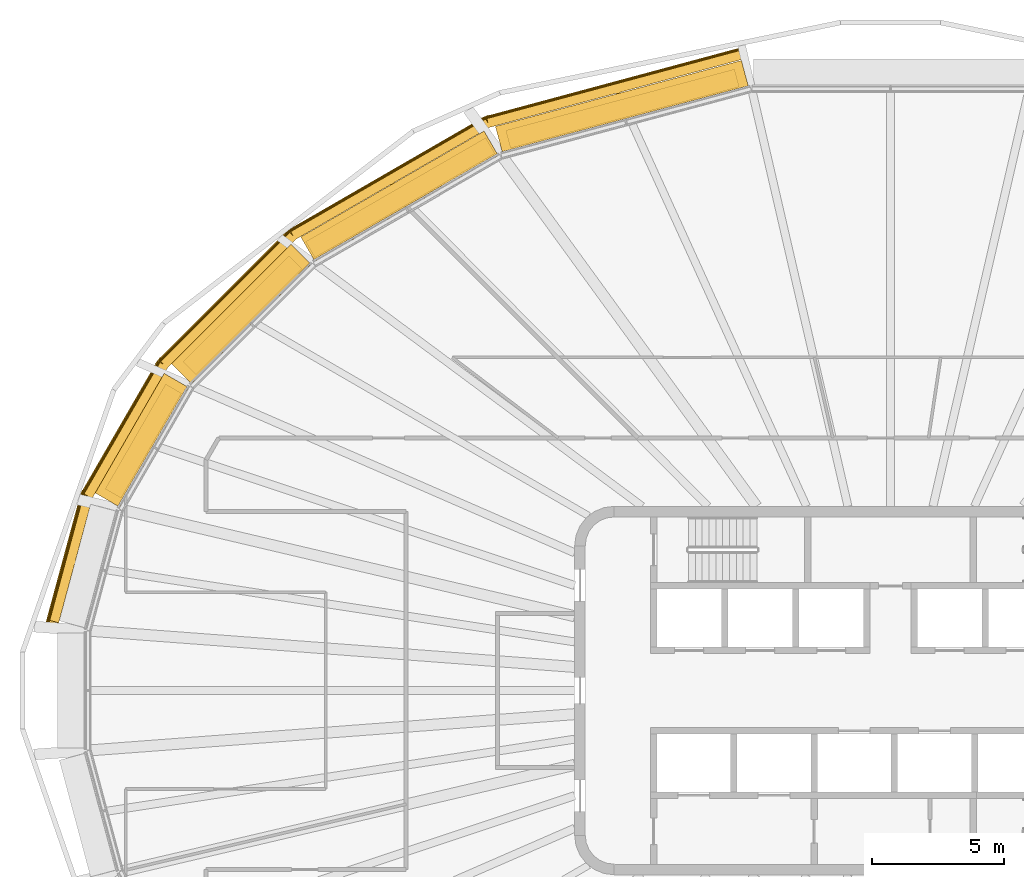
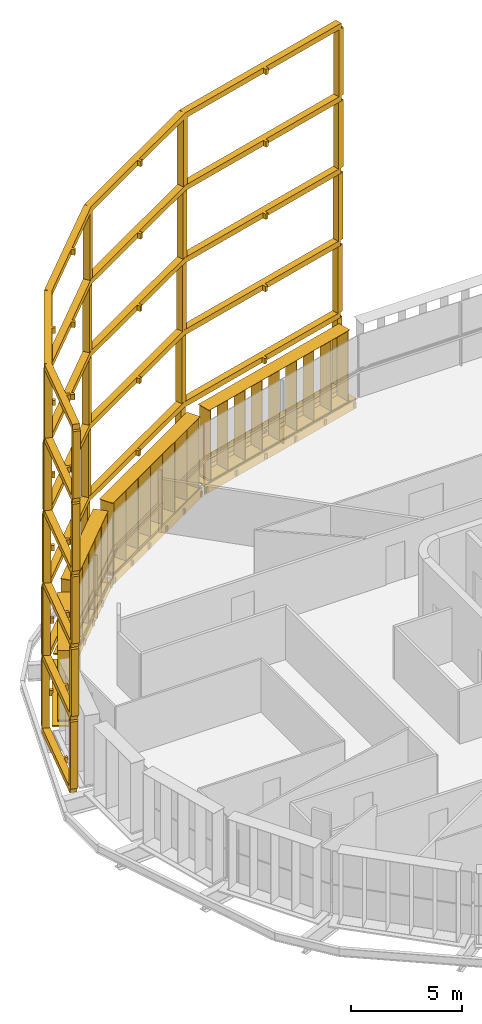
# One storey, part 19 of 20: 9 shading devices.
"""IFC4 building model written with IfcOpenShell, lengths in metres."""

from ifc_helpers import new_model, si_unit, direction, frame, origin, origin_2d, place, context, subcontext, project, spatial, polyline, rectangle, outline, extrude, material, type_object, element, save


model = new_model("IFC4")

# Units and contexts
model_context = context("Model", 3, precision=1e-05, world=origin(), true_north=direction((0.0, 1.0)))
body_context = subcontext(model_context, "Body", "Model", "MODEL_VIEW")
ifc_project = project(units=[si_unit("LENGTHUNIT", "METRE"), si_unit("AREAUNIT", "SQUARE_METRE"), si_unit("VOLUMEUNIT", "CUBIC_METRE"), si_unit("PLANEANGLEUNIT", "RADIAN"), si_unit("MASSUNIT", "GRAM", prefix="KILO")], contexts=[model_context])

# Site, building, storey
site_placement = place(None, origin())
site = spatial("IfcSite", under=ifc_project, at=site_placement, CompositionType="ELEMENT")
building_placement = place(site_placement, origin())
building = spatial("IfcBuilding", under=site, at=building_placement, Name="Sahrelin Media Tower", CompositionType="ELEMENT")
storey_placement = place(building_placement, frame((0.0, 0.0, 213.60009765625)))
storey = spatial("IfcBuildingStorey", under=building, at=storey_placement, Name="L45", CompositionType="ELEMENT", Elevation=213.60009765625)

# Shading devices
ifc_material_1 = material(Name="Dark bronze anodised aluminium 6063-T6", Category="aluminium")
shading_device_type_1 = type_object("IfcShadingDeviceType", Name="Deep frame", PredefinedType="USERDEFINED", material=ifc_material_1)
shading_device_1_placement = place(storey_placement, frame((-5.302490234375, 22.982177734375, 0.0), z_axis=(0.0, 0.0, 1.0), x_axis=(0.965928857556, 0.258807731996, 0.0)))
element("IfcShadingDevice", 1, at=shading_device_1_placement, inside=storey, type_object=shading_device_type_1, Name="L45:FRAME:F4-4", ObjectType="FRAME", PredefinedType="USERDEFINED", context=body_context, shape_type="SweptSolid", body=[
    extrude(rectangle(XDim=0.300048828125, YDim=0.35009765625, at=origin_2d()), frame((0.0, 1.324951171875, 0.14990234375), z_axis=(0.0, 0.0, 1.0), x_axis=(-1.0, 0.0, 0.0)), (0.0, 0.0, 1.0), 3.7001953125),
    extrude(rectangle(XDim=0.300048828125, YDim=0.35009765625, at=origin_2d()), frame((-10.05078125, 1.313720703125, 0.14990234375), z_axis=(0.0, 0.0, 1.0), x_axis=(-0.991436202368, -0.130591947046, 0.0)), (0.0, 0.0, 1.0), 3.7001953125),
    extrude(rectangle(XDim=0.300048828125, YDim=0.35009765625, at=origin_2d()), frame((-18.347900390625, -0.909423828125, 0.14990234375), z_axis=(0.0, 0.0, 1.0), x_axis=(-0.923876860854, -0.382689882252, 0.0)), (0.0, 0.0, 1.0), 3.7001953125),
    extrude(rectangle(XDim=0.300048828125, YDim=0.35009765625, at=origin_2d()), frame((-24.376220703125, -4.389892578125, 0.14990234375), z_axis=(0.0, 0.0, 1.0), x_axis=(-0.793352277801, -0.608762813671, 0.0)), (0.0, 0.0, 1.0), 3.7001953125),
    extrude(rectangle(XDim=0.300048828125, YDim=0.35009765625, at=origin_2d()), frame((-28.47119140625, -8.48486328125, 0.14990234375), z_axis=(0.0, 0.0, 1.0), x_axis=(-0.608762813671, -0.793352277801, 0.0)), (0.0, 0.0, 1.0), 3.7001953125),
    extrude(rectangle(XDim=0.300048828125, YDim=0.35009765625, at=origin_2d()), frame((-30.960205078125, -12.7734375, 0.14990234375), z_axis=(0.0, 0.0, 1.0), x_axis=(-0.500010580459, -0.866019295067, 0.0)), (0.0, 0.0, 1.0), 3.7001953125),
    extrude(outline(polyline([(-29.493896484375, -10.943603515625), (-29.4189453125, -10.813720703125), (-29.56982421875, -10.7265625), (-28.331298828125, -8.59228515625), (-26.35302734375, -6.6142578125), (-26.233642578125, -6.7333984375), (-26.127685546875, -6.62744140625), (-26.246826171875, -6.508056640625), (-24.268798828125, -4.52978515625), (-21.33935546875, -2.8388671875), (-21.255126953125, -2.98486328125), (-21.125244140625, -2.909912109375), (-21.20947265625, -2.763916015625), (-18.2802734375, -1.072509765625), (-14.2265625, 0.013671875), (-14.182861328125, -0.1494140625), (-14.037841796875, -0.110595703125), (-14.08154296875, 0.052490234375), (-10.027587890625, 1.138671875), (-5.013916015625, 1.144287109375), (-5.013916015625, 0.969970703125), (-4.864013671875, 0.969970703125), (-4.864013671875, 1.14453125), (0.000244140625, 1.14990234375), (-0.000244140625, 1.5), (-10.051025390625, 1.48876953125), (-10.05078125, 1.313720703125), (-10.09619140625, 1.482666015625), (-18.39306640625, -0.740478515625), (-18.347900390625, -0.909423828125), (-18.435302734375, -0.758056640625), (-24.463623046875, -4.23828125), (-24.376220703125, -4.389892578125), (-24.5, -4.26611328125), (-28.594970703125, -8.361083984375), (-28.47119140625, -8.48486328125), (-28.62255859375, -8.39697265625), (-31.111572265625, -12.685546875), (-30.808837890625, -12.861083984375), (-29.645263671875, -10.856201171875), (-29.493896484375, -10.943603515625)])), frame((0.0, 0.0, -0.14990234375)), (0.0, 0.0, 1.0), 0.2998046875),
    extrude(rectangle(XDim=0.300048828125, YDim=0.35009765625, at=origin_2d()), frame((-0.00146484375, 1.294189453125, 4.14990234375), z_axis=(0.0, 0.0, 1.0), x_axis=(-1.0, 0.0, 0.0)), (0.0, 0.0, 1.0), 3.7001953125),
    extrude(rectangle(XDim=0.300048828125, YDim=0.35009765625, at=origin_2d()), frame((-10.039794921875, 1.282958984375, 4.14990234375), z_axis=(0.0, 0.0, 1.0), x_axis=(-0.991436202368, -0.130591947046, 0.0)), (0.0, 0.0, 1.0), 3.7001953125),
    extrude(rectangle(XDim=0.300048828125, YDim=0.35009765625, at=origin_2d()), frame((-18.32666015625, -0.9375, 4.14990234375), z_axis=(0.0, 0.0, 1.0), x_axis=(-0.923876860854, -0.382689882252, 0.0)), (0.0, 0.0, 1.0), 3.7001953125),
    extrude(rectangle(XDim=0.300048828125, YDim=0.35009765625, at=origin_2d()), frame((-24.347412109375, -4.413818359375, 4.14990234375), z_axis=(0.0, 0.0, 1.0), x_axis=(-0.793362902596, -0.608748966968, 0.0)), (0.0, 0.0, 1.0), 3.7001953125),
    extrude(rectangle(XDim=0.300048828125, YDim=0.35009765625, at=origin_2d()), frame((-28.437255859375, -8.50341796875, 4.14990234375), z_axis=(0.0, 0.0, 1.0), x_axis=(-0.608762813671, -0.793352277801, 0.0)), (0.0, 0.0, 1.0), 3.7001953125),
    extrude(rectangle(XDim=0.300048828125, YDim=0.35009765625, at=origin_2d()), frame((-30.923095703125, -12.78662109375, 4.14990234375), z_axis=(0.0, 0.0, 1.0), x_axis=(-0.500010580459, -0.866019295067, 0.0)), (0.0, 0.0, 1.0), 3.7001953125),
    extrude(outline(polyline([(-29.45849609375, -10.95947265625), (-29.38330078125, -10.82958984375), (-29.534423828125, -10.742431640625), (-28.29736328125, -8.611083984375), (-26.32177734375, -6.635498046875), (-26.202392578125, -6.754638671875), (-26.096435546875, -6.648681640625), (-26.215576171875, -6.529296875), (-24.239990234375, -4.5537109375), (-21.314453125, -2.86474609375), (-21.230224609375, -3.0107421875), (-21.100341796875, -2.935791015625), (-21.1845703125, -2.789794921875), (-18.259033203125, -1.1005859375), (-14.21044921875, -0.015869140625), (-14.166748046875, -0.1787109375), (-14.021728515625, -0.139892578125), (-14.0654296875, 0.02294921875), (-10.0166015625, 1.10791015625), (-5.009033203125, 1.113525390625), (-5.009033203125, 0.939208984375), (-4.859130859375, 0.939208984375), (-4.859130859375, 1.11376953125), (-0.001220703125, 1.119140625), (-0.001708984375, 1.46923828125), (-10.0400390625, 1.4580078125), (-10.039794921875, 1.282958984375), (-10.085205078125, 1.451904296875), (-18.371826171875, -0.7685546875), (-18.32666015625, -0.9375), (-18.4140625, -0.785888671875), (-24.43505859375, -4.26220703125), (-24.347412109375, -4.413818359375), (-24.47119140625, -4.289794921875), (-28.56103515625, -8.3798828125), (-28.437255859375, -8.50341796875), (-28.588623046875, -8.415771484375), (-31.074462890625, -12.69873046875), (-30.771728515625, -12.87451171875), (-29.609619140625, -10.872314453125), (-29.45849609375, -10.95947265625)])), frame((0.0, 0.0, 3.85009765625)), (0.0, 0.0, 1.0), 0.2998046875),
    extrude(rectangle(XDim=0.300048828125, YDim=0.35009765625, at=origin_2d()), frame((-0.002685546875, 1.26708984375, 8.14990234375), z_axis=(0.0, 0.0, 1.0), x_axis=(-1.0, 0.0, 0.0)), (0.0, 0.0, 1.0), 3.7001953125),
    extrude(rectangle(XDim=0.300048828125, YDim=0.35009765625, at=origin_2d()), frame((-10.030029296875, 1.255615234375, 8.14990234375), z_axis=(0.0, 0.0, 1.0), x_axis=(-0.991449189241, -0.130493314592, 0.0)), (0.0, 0.0, 1.0), 3.7001953125),
    extrude(rectangle(XDim=0.300048828125, YDim=0.35009765625, at=origin_2d()), frame((-18.307861328125, -0.96240234375, 8.14990234375), z_axis=(0.0, 0.0, 1.0), x_axis=(-0.923876860854, -0.382689882252, 0.0)), (0.0, 0.0, 1.0), 3.7001953125),
    extrude(rectangle(XDim=0.300048828125, YDim=0.35009765625, at=origin_2d()), frame((-24.322265625, -4.4345703125, 8.14990234375), z_axis=(0.0, 0.0, 1.0), x_axis=(-0.793352277801, -0.608762813671, 0.0)), (0.0, 0.0, 1.0), 3.7001953125),
    extrude(rectangle(XDim=0.300048828125, YDim=0.35009765625, at=origin_2d()), frame((-28.407470703125, -8.52001953125, 8.14990234375), z_axis=(0.0, 0.0, 1.0), x_axis=(-0.608811275668, -0.793315089117, 0.0)), (0.0, 0.0, 1.0), 3.7001953125),
    extrude(rectangle(XDim=0.300048828125, YDim=0.35009765625, at=origin_2d()), frame((-30.890625, -12.798095703125, 8.14990234375), z_axis=(0.0, 0.0, 1.0), x_axis=(-0.500010580459, -0.866019295067, 0.0)), (0.0, 0.0, 1.0), 3.7001953125),
    extrude(outline(polyline([(-29.42724609375, -10.973388671875), (-29.352294921875, -10.843505859375), (-29.50341796875, -10.75634765625), (-28.267578125, -8.62744140625), (-26.294189453125, -6.654052734375), (-26.1748046875, -6.773193359375), (-26.06884765625, -6.667236328125), (-26.18798828125, -6.548095703125), (-24.21484375, -4.57470703125), (-21.29248046875, -2.887451171875), (-21.208251953125, -3.03369140625), (-21.078369140625, -2.95849609375), (-21.16259765625, -2.8125), (-18.240478515625, -1.12548828125), (-14.1962890625, -0.041748046875), (-14.152587890625, -0.20458984375), (-14.007568359375, -0.165771484375), (-14.05126953125, -0.0029296875), (-10.007080078125, 1.080810546875), (-5.0048828125, 1.08642578125), (-5.0048828125, 0.912109375), (-4.85498046875, 0.912109375), (-4.85498046875, 1.086669921875), (-0.00244140625, 1.092041015625), (-0.002685546875, 1.442138671875), (-10.0302734375, 1.4306640625), (-10.030029296875, 1.255615234375), (-10.075439453125, 1.4248046875), (-18.353271484375, -0.793212890625), (-18.307861328125, -0.96240234375), (-18.3955078125, -0.810791015625), (-24.40966796875, -4.282958984375), (-24.322265625, -4.4345703125), (-24.446044921875, -4.310791015625), (-28.53125, -8.396240234375), (-28.407470703125, -8.52001953125), (-28.558837890625, -8.43212890625), (-31.0419921875, -12.710205078125), (-30.7392578125, -12.885986328125), (-29.57861328125, -10.885986328125), (-29.42724609375, -10.973388671875)])), frame((0.0, 0.0, 7.85009765625)), (0.0, 0.0, 1.0), 0.2998046875),
    extrude(rectangle(XDim=0.300048828125, YDim=0.35009765625, at=origin_2d()), frame((-0.003662109375, 1.243896484375, 12.14990234375), z_axis=(0.0, 0.0, 1.0), x_axis=(-1.0, 0.0, 0.0)), (0.0, 0.0, 1.0), 3.7001953125),
    extrude(rectangle(XDim=0.300048828125, YDim=0.35009765625, at=origin_2d()), frame((-10.021728515625, 1.232421875, 12.14990234375), z_axis=(0.0, 0.0, 1.0), x_axis=(-0.991447594891, -0.130505427419, 0.0)), (0.0, 0.0, 1.0), 3.7001953125),
    extrude(rectangle(XDim=0.300048828125, YDim=0.35009765625, at=origin_2d()), frame((-18.2919921875, -0.9833984375, 12.14990234375), z_axis=(0.0, 0.0, 1.0), x_axis=(-0.923876860854, -0.382689882252, 0.0)), (0.0, 0.0, 1.0), 3.7001953125),
    extrude(rectangle(XDim=0.300048828125, YDim=0.35009765625, at=origin_2d()), frame((-24.300537109375, -4.452392578125, 12.14990234375), z_axis=(0.0, 0.0, 1.0), x_axis=(-0.793352277801, -0.608762813671, 0.0)), (0.0, 0.0, 1.0), 3.7001953125),
    extrude(rectangle(XDim=0.300048828125, YDim=0.35009765625, at=origin_2d()), frame((-28.382080078125, -8.533935546875, 12.14990234375), z_axis=(0.0, 0.0, 1.0), x_axis=(-0.608811275668, -0.793315089117, 0.0)), (0.0, 0.0, 1.0), 3.7001953125),
    extrude(rectangle(XDim=0.300048828125, YDim=0.35009765625, at=origin_2d()), frame((-30.862548828125, -12.807861328125, 12.14990234375), z_axis=(0.0, 0.0, 1.0), x_axis=(-0.500010580459, -0.866019295067, 0.0)), (0.0, 0.0, 1.0), 3.7001953125),
    extrude(outline(polyline([(-29.400390625, -10.985595703125), (-29.325439453125, -10.855712890625), (-29.4765625, -10.768310546875), (-28.2421875, -8.6416015625), (-26.2705078125, -6.669921875), (-26.1513671875, -6.789306640625), (-26.045166015625, -6.68310546875), (-26.16455078125, -6.56396484375), (-24.193115234375, -4.592529296875), (-21.273681640625, -2.906982421875), (-21.189453125, -3.052978515625), (-21.0595703125, -2.97802734375), (-21.143798828125, -2.83203125), (-18.224365234375, -1.146484375), (-14.18408203125, -0.06396484375), (-14.140380859375, -0.226806640625), (-13.99560546875, -0.18798828125), (-14.0390625, -0.025146484375), (-9.99853515625, 1.0576171875), (-5.001220703125, 1.06298828125), (-5.001220703125, 0.888916015625), (-4.851318359375, 0.888916015625), (-4.851318359375, 1.063232421875), (-0.00341796875, 1.06884765625), (-0.00390625, 1.418701171875), (-10.02197265625, 1.407470703125), (-10.021728515625, 1.232421875), (-10.06689453125, 1.401611328125), (-18.337158203125, -0.814453125), (-18.2919921875, -0.9833984375), (-18.37939453125, -0.831787109375), (-24.387939453125, -4.301025390625), (-24.300537109375, -4.452392578125), (-24.42431640625, -4.328857421875), (-28.505859375, -8.41015625), (-28.382080078125, -8.533935546875), (-28.533447265625, -8.446044921875), (-31.013916015625, -12.72021484375), (-30.711181640625, -12.895751953125), (-29.5517578125, -10.898193359375), (-29.400390625, -10.985595703125)])), frame((0.0, 0.0, 11.85009765625)), (0.0, 0.0, 1.0), 0.2998046875),
    extrude(rectangle(XDim=0.300048828125, YDim=0.35009765625, at=origin_2d()), frame((-0.00439453125, 1.224609375, 16.14990234375), z_axis=(0.0, 0.0, 1.0), x_axis=(-1.0, 0.0, 0.0)), (0.0, 0.0, 1.0), 3.7001953125),
    extrude(rectangle(XDim=0.300048828125, YDim=0.35009765625, at=origin_2d()), frame((-10.014892578125, 1.213134765625, 16.14990234375), z_axis=(0.0, 0.0, 1.0), x_axis=(-0.991447594891, -0.130505427419, 0.0)), (0.0, 0.0, 1.0), 3.7001953125),
    extrude(rectangle(XDim=0.300048828125, YDim=0.35009765625, at=origin_2d()), frame((-18.278564453125, -1.0009765625, 16.14990234375), z_axis=(0.0, 0.0, 1.0), x_axis=(-0.923876860854, -0.382689882252, 0.0)), (0.0, 0.0, 1.0), 3.7001953125),
    extrude(rectangle(XDim=0.300048828125, YDim=0.35009765625, at=origin_2d()), frame((-24.28271484375, -4.46728515625, 16.14990234375), z_axis=(0.0, 0.0, 1.0), x_axis=(-0.793315089117, -0.608811275668, 0.0)), (0.0, 0.0, 1.0), 3.7001953125),
    extrude(rectangle(XDim=0.300048828125, YDim=0.35009765625, at=origin_2d()), frame((-28.36083984375, -8.545654296875, 16.14990234375), z_axis=(0.0, 0.0, 1.0), x_axis=(-0.608811275668, -0.793315089117, 0.0)), (0.0, 0.0, 1.0), 3.7001953125),
    extrude(rectangle(XDim=0.300048828125, YDim=0.35009765625, at=origin_2d()), frame((-30.839599609375, -12.816162109375, 16.14990234375), z_axis=(0.0, 0.0, 1.0), x_axis=(-0.500010580459, -0.866019295067, 0.0)), (0.0, 0.0, 1.0), 3.7001953125),
    extrude(outline(polyline([(-29.37841796875, -10.995361328125), (-29.303466796875, -10.865478515625), (-29.454345703125, -10.7783203125), (-28.220947265625, -8.6533203125), (-26.2509765625, -6.683349609375), (-26.131591796875, -6.802490234375), (-26.025634765625, -6.696533203125), (-26.14501953125, -6.5771484375), (-24.175048828125, -4.607421875), (-21.258056640625, -2.92333984375), (-21.173583984375, -3.0693359375), (-21.043701171875, -2.994384765625), (-21.128173828125, -2.848388671875), (-18.211181640625, -1.1640625), (-14.173828125, -0.082275390625), (-14.13037109375, -0.245361328125), (-13.9853515625, -0.206298828125), (-14.029052734375, -0.04345703125), (-9.99169921875, 1.038330078125), (-4.998291015625, 1.0439453125), (-4.998291015625, 0.86962890625), (-4.84814453125, 0.86962890625), (-4.84814453125, 1.044189453125), (-0.00439453125, 1.049560546875), (-0.004638671875, 1.399658203125), (-10.01513671875, 1.38818359375), (-10.014892578125, 1.213134765625), (-10.060302734375, 1.38232421875), (-18.323974609375, -0.83203125), (-18.278564453125, -1.0009765625), (-18.3662109375, -0.849609375), (-24.3701171875, -4.31591796875), (-24.28271484375, -4.46728515625), (-24.40625, -4.343505859375), (-28.484619140625, -8.421875), (-28.36083984375, -8.545654296875), (-28.51220703125, -8.457763671875), (-30.99072265625, -12.728271484375), (-30.68798828125, -12.904052734375), (-29.52978515625, -10.908203125), (-29.37841796875, -10.995361328125)])), frame((0.0, 0.0, 15.85009765625)), (0.0, 0.0, 1.0), 0.2998046875),
    extrude(outline(polyline([(-29.37841796875, -10.995361328125), (-29.303466796875, -10.865478515625), (-29.454345703125, -10.7783203125), (-28.220947265625, -8.6533203125), (-26.2509765625, -6.683349609375), (-26.131591796875, -6.802490234375), (-26.025634765625, -6.696533203125), (-26.14501953125, -6.5771484375), (-24.175048828125, -4.607421875), (-21.258056640625, -2.92333984375), (-21.173583984375, -3.0693359375), (-21.043701171875, -2.994384765625), (-21.128173828125, -2.848388671875), (-18.211181640625, -1.1640625), (-14.173828125, -0.082275390625), (-14.13037109375, -0.245361328125), (-13.9853515625, -0.206298828125), (-14.029052734375, -0.04345703125), (-9.99169921875, 1.038330078125), (-4.998291015625, 1.0439453125), (-4.998291015625, 0.86962890625), (-4.84814453125, 0.86962890625), (-4.84814453125, 1.044189453125), (-0.00439453125, 1.049560546875), (-0.004638671875, 1.399658203125), (-10.01513671875, 1.38818359375), (-10.014892578125, 1.213134765625), (-10.060302734375, 1.38232421875), (-18.323974609375, -0.83203125), (-18.278564453125, -1.0009765625), (-18.3662109375, -0.849609375), (-24.3701171875, -4.31591796875), (-24.28271484375, -4.46728515625), (-24.40625, -4.343505859375), (-28.484619140625, -8.421875), (-28.36083984375, -8.545654296875), (-28.51220703125, -8.457763671875), (-30.99072265625, -12.728271484375), (-30.68798828125, -12.904052734375), (-29.52978515625, -10.908203125), (-29.37841796875, -10.995361328125)])), frame((0.0, 0.0, 19.85009765625)), (0.0, 0.0, 1.0), 0.2998046875),
])
ifc_material_2 = material(Name="Champagne anodised aluminium 6063-T6", Category="aluminium")
shading_device_type_2 = type_object("IfcShadingDeviceType", Name="Fin cassette", PredefinedType="USERDEFINED", material=ifc_material_2)
placement_1 = place(storey_placement, frame((-10.072998046875, 21.703857421875, 0.0), z_axis=(0.0, 0.0, 1.0), x_axis=(0.965928857556, 0.258807731996, 0.0)))
element("IfcShadingDevice", 2, at=placement_1, inside=storey, type_object=shading_device_type_2, Name="L45:FIN:L45-07", ObjectType="FIN", PredefinedType="USERDEFINED", context=body_context, shape_type="SweptSolid", body=[
    extrude(rectangle(XDim=9.0, YDim=0.699951171875, at=origin_2d()), frame((0.0, 0.419921875, 0.0)), (0.0, 0.0, 1.0), 0.02001953125),
    extrude(rectangle(XDim=9.0, YDim=0.699951171875, at=origin_2d()), frame((0.0, 0.419921875, 3.89990234375)), (0.0, 0.0, 1.0), 0.02001953125),
    extrude(rectangle(XDim=0.02001953125, YDim=0.699951171875, at=origin_2d()), frame((-4.39990234375, 0.419921875, 0.010009765625), z_axis=(0.0, 0.0, 1.0), x_axis=(1.0, 0.0, 0.0)), (0.0, 0.0, 1.0), 3.89990234375),
    extrude(rectangle(XDim=0.02001953125, YDim=0.699951171875, at=origin_2d()), frame((-3.300048828125, 0.419921875, 0.010009765625), z_axis=(0.0, 0.0, 1.0), x_axis=(1.0, 0.0, 0.0)), (0.0, 0.0, 1.0), 3.89990234375),
    extrude(rectangle(XDim=0.02001953125, YDim=0.699951171875, at=origin_2d()), frame((-2.199951171875, 0.419921875, 0.010009765625), z_axis=(0.0, 0.0, 1.0), x_axis=(1.0, 0.0, 0.0)), (0.0, 0.0, 1.0), 3.89990234375),
    extrude(rectangle(XDim=0.02001953125, YDim=0.699951171875, at=origin_2d()), frame((-1.10009765625, 0.419921875, 0.010009765625), z_axis=(0.0, 0.0, 1.0), x_axis=(1.0, 0.0, 0.0)), (0.0, 0.0, 1.0), 3.89990234375),
    extrude(rectangle(XDim=0.02001953125, YDim=0.699951171875, at=origin_2d()), frame((0.0, 0.419921875, 0.010009765625), z_axis=(0.0, 0.0, 1.0), x_axis=(1.0, 0.0, 0.0)), (0.0, 0.0, 1.0), 3.89990234375),
    extrude(rectangle(XDim=0.02001953125, YDim=0.699951171875, at=origin_2d()), frame((1.10009765625, 0.419921875, 0.010009765625), z_axis=(0.0, 0.0, 1.0), x_axis=(1.0, 0.0, 0.0)), (0.0, 0.0, 1.0), 3.89990234375),
    extrude(rectangle(XDim=0.02001953125, YDim=0.699951171875, at=origin_2d()), frame((2.199951171875, 0.419921875, 0.010009765625), z_axis=(0.0, 0.0, 1.0), x_axis=(1.0, 0.0, 0.0)), (0.0, 0.0, 1.0), 3.89990234375),
    extrude(rectangle(XDim=0.02001953125, YDim=0.699951171875, at=origin_2d()), frame((3.300048828125, 0.419921875, 0.010009765625), z_axis=(0.0, 0.0, 1.0), x_axis=(1.0, 0.0, 0.0)), (0.0, 0.0, 1.0), 3.89990234375),
    extrude(rectangle(XDim=0.02001953125, YDim=0.699951171875, at=origin_2d()), frame((4.39990234375, 0.419921875, 0.010009765625), z_axis=(0.0, 0.0, 1.0), x_axis=(1.0, 0.0, 0.0)), (0.0, 0.0, 1.0), 3.89990234375),
])
placement_2 = place(storey_placement, frame((-18.413330078125, 18.36474609375, 0.0), z_axis=(0.0, 0.0, 1.0), x_axis=(0.866019052629, 0.500011000363, 0.0)))
element("IfcShadingDevice", 3, at=placement_2, inside=storey, type_object=shading_device_type_2, Name="L45:FIN:L45-08", ObjectType="FIN", PredefinedType="USERDEFINED", context=body_context, shape_type="SweptSolid", body=[
    extrude(rectangle(XDim=7.89990234375, YDim=0.699951171875, at=origin_2d()), frame((0.0, 0.419921875, 0.0)), (0.0, 0.0, 1.0), 0.02001953125),
    extrude(rectangle(XDim=7.89990234375, YDim=0.699951171875, at=origin_2d()), frame((0.0, 0.419921875, 3.89990234375)), (0.0, 0.0, 1.0), 0.02001953125),
    extrude(rectangle(XDim=0.02001953125, YDim=0.699951171875, at=origin_2d()), frame((-3.85009765625, 0.419921875, 0.010009765625), z_axis=(0.0, 0.0, 1.0), x_axis=(1.0, 0.0, 0.0)), (0.0, 0.0, 1.0), 3.89990234375),
    extrude(rectangle(XDim=0.02001953125, YDim=0.699951171875, at=origin_2d()), frame((-2.75, 0.419921875, 0.010009765625), z_axis=(0.0, 0.0, 1.0), x_axis=(1.0, 0.0, 0.0)), (0.0, 0.0, 1.0), 3.89990234375),
    extrude(rectangle(XDim=0.02001953125, YDim=0.699951171875, at=origin_2d()), frame((-1.64990234375, 0.419921875, 0.010009765625), z_axis=(0.0, 0.0, 1.0), x_axis=(1.0, 0.0, 0.0)), (0.0, 0.0, 1.0), 3.89990234375),
    extrude(rectangle(XDim=0.02001953125, YDim=0.699951171875, at=origin_2d()), frame((-0.550048828125, 0.419921875, 0.010009765625), z_axis=(0.0, 0.0, 1.0), x_axis=(1.0, 0.0, 0.0)), (0.0, 0.0, 1.0), 3.89990234375),
    extrude(rectangle(XDim=0.02001953125, YDim=0.699951171875, at=origin_2d()), frame((0.550048828125, 0.419921875, 0.010009765625), z_axis=(0.0, 0.0, 1.0), x_axis=(1.0, 0.0, 0.0)), (0.0, 0.0, 1.0), 3.89990234375),
    extrude(rectangle(XDim=0.02001953125, YDim=0.699951171875, at=origin_2d()), frame((1.64990234375, 0.419921875, 0.010009765625), z_axis=(0.0, 0.0, 1.0), x_axis=(1.0, 0.0, 0.0)), (0.0, 0.0, 1.0), 3.89990234375),
    extrude(rectangle(XDim=0.02001953125, YDim=0.699951171875, at=origin_2d()), frame((2.75, 0.419921875, 0.010009765625), z_axis=(0.0, 0.0, 1.0), x_axis=(1.0, 0.0, 0.0)), (0.0, 0.0, 1.0), 3.89990234375),
    extrude(rectangle(XDim=0.02001953125, YDim=0.699951171875, at=origin_2d()), frame((3.85009765625, 0.419921875, 0.010009765625), z_axis=(0.0, 0.0, 1.0), x_axis=(1.0, 0.0, 0.0)), (0.0, 0.0, 1.0), 3.89990234375),
])
placement_3 = place(storey_placement, frame((-24.32177734375, 13.965087890625, 0.0), z_axis=(0.0, 0.0, 1.0), x_axis=(0.707106781187, 0.707106781187, 0.0)))
element("IfcShadingDevice", 4, at=placement_3, inside=storey, type_object=shading_device_type_2, Name="L45:FIN:L45-09", ObjectType="FIN", PredefinedType="USERDEFINED", context=body_context, shape_type="SweptSolid", body=[
    extrude(rectangle(XDim=5.699951171875, YDim=0.699951171875, at=origin_2d()), frame((0.0, 0.419921875, 0.0)), (0.0, 0.0, 1.0), 0.02001953125),
    extrude(rectangle(XDim=5.699951171875, YDim=0.699951171875, at=origin_2d()), frame((0.0, 0.419921875, 3.89990234375)), (0.0, 0.0, 1.0), 0.02001953125),
    extrude(rectangle(XDim=0.02001953125, YDim=0.699951171875, at=origin_2d()), frame((-2.75, 0.419921875, 0.010009765625), z_axis=(0.0, 0.0, 1.0), x_axis=(1.0, 0.0, 0.0)), (0.0, 0.0, 1.0), 3.89990234375),
    extrude(rectangle(XDim=0.02001953125, YDim=0.699951171875, at=origin_2d()), frame((-1.64990234375, 0.419921875, 0.010009765625), z_axis=(0.0, 0.0, 1.0), x_axis=(1.0, 0.0, 0.0)), (0.0, 0.0, 1.0), 3.89990234375),
    extrude(rectangle(XDim=0.02001953125, YDim=0.699951171875, at=origin_2d()), frame((-0.550048828125, 0.419921875, 0.010009765625), z_axis=(0.0, 0.0, 1.0), x_axis=(1.0, 0.0, 0.0)), (0.0, 0.0, 1.0), 3.89990234375),
    extrude(rectangle(XDim=0.02001953125, YDim=0.699951171875, at=origin_2d()), frame((0.550048828125, 0.419921875, 0.010009765625), z_axis=(0.0, 0.0, 1.0), x_axis=(1.0, 0.0, 0.0)), (0.0, 0.0, 1.0), 3.89990234375),
    extrude(rectangle(XDim=0.02001953125, YDim=0.699951171875, at=origin_2d()), frame((1.64990234375, 0.419921875, 0.010009765625), z_axis=(0.0, 0.0, 1.0), x_axis=(1.0, 0.0, 0.0)), (0.0, 0.0, 1.0), 3.89990234375),
    extrude(rectangle(XDim=0.02001953125, YDim=0.699951171875, at=origin_2d()), frame((2.75, 0.419921875, 0.010009765625), z_axis=(0.0, 0.0, 1.0), x_axis=(1.0, 0.0, 0.0)), (0.0, 0.0, 1.0), 3.89990234375),
])
placement_4 = place(storey_placement, frame((-28.02197265625, 9.268310546875, 0.0), z_axis=(0.0, 0.0, 1.0), x_axis=(0.500011000363, 0.866019052629, 0.0)))
element("IfcShadingDevice", 5, at=placement_4, inside=storey, type_object=shading_device_type_2, Name="L45:FIN:L45-10", ObjectType="FIN", PredefinedType="USERDEFINED", context=body_context, shape_type="SweptSolid", body=[
    extrude(rectangle(XDim=4.60009765625, YDim=0.699951171875, at=origin_2d()), frame((0.0, 0.419921875, 0.0)), (0.0, 0.0, 1.0), 0.02001953125),
    extrude(rectangle(XDim=4.60009765625, YDim=0.699951171875, at=origin_2d()), frame((0.0, 0.419921875, 3.89990234375)), (0.0, 0.0, 1.0), 0.02001953125),
    extrude(rectangle(XDim=0.02001953125, YDim=0.699951171875, at=origin_2d()), frame((-2.199951171875, 0.419921875, 0.010009765625), z_axis=(0.0, 0.0, 1.0), x_axis=(1.0, 0.0, 0.0)), (0.0, 0.0, 1.0), 3.89990234375),
    extrude(rectangle(XDim=0.02001953125, YDim=0.699951171875, at=origin_2d()), frame((-1.10009765625, 0.419921875, 0.010009765625), z_axis=(0.0, 0.0, 1.0), x_axis=(1.0, 0.0, 0.0)), (0.0, 0.0, 1.0), 3.89990234375),
    extrude(rectangle(XDim=0.02001953125, YDim=0.699951171875, at=origin_2d()), frame((0.0, 0.419921875, 0.010009765625), z_axis=(0.0, 0.0, 1.0), x_axis=(1.0, 0.0, 0.0)), (0.0, 0.0, 1.0), 3.89990234375),
    extrude(rectangle(XDim=0.02001953125, YDim=0.699951171875, at=origin_2d()), frame((1.10009765625, 0.419921875, 0.010009765625), z_axis=(0.0, 0.0, 1.0), x_axis=(1.0, 0.0, 0.0)), (0.0, 0.0, 1.0), 3.89990234375),
    extrude(rectangle(XDim=0.02001953125, YDim=0.699951171875, at=origin_2d()), frame((2.199951171875, 0.419921875, 0.010009765625), z_axis=(0.0, 0.0, 1.0), x_axis=(1.0, 0.0, 0.0)), (0.0, 0.0, 1.0), 3.89990234375),
])
shading_device_type_3 = type_object("IfcShadingDeviceType", Name="Sunshade band", PredefinedType="USERDEFINED", material=ifc_material_2)
element("IfcShadingDevice", 6, at=placement_1, inside=storey, type_object=shading_device_type_3, Name="L45:SUN:L45-07", ObjectType="SUNSHADE", PredefinedType="USERDEFINED", context=body_context, shape_type="SweptSolid", body=[
    extrude(rectangle(XDim=9.677978515625, YDim=0.050048828125, at=origin_2d()), frame((0.0, 0.044921875, -0.55126953125)), (0.0, 0.0, 1.0), 0.471435546875),
    extrude(rectangle(XDim=9.677978515625, YDim=1.0, at=origin_2d()), frame((0.0, 0.52001953125, -0.080078125)), (0.0, 0.0, 1.0), 0.080078125),
    extrude(rectangle(XDim=0.10009765625, YDim=0.074951171875, at=origin_2d()), frame((-4.739013671875, -0.017578125, -0.47021484375)), (0.0, 0.0, 1.0), 0.300048828125),
    extrude(rectangle(XDim=0.10009765625, YDim=0.074951171875, at=origin_2d()), frame((-2.843505859375, -0.017578125, -0.47021484375)), (0.0, 0.0, 1.0), 0.300048828125),
    extrude(rectangle(XDim=0.10009765625, YDim=0.074951171875, at=origin_2d()), frame((-0.94775390625, -0.017578125, -0.47021484375)), (0.0, 0.0, 1.0), 0.300048828125),
    extrude(rectangle(XDim=0.10009765625, YDim=0.074951171875, at=origin_2d()), frame((0.94775390625, -0.017578125, -0.47021484375)), (0.0, 0.0, 1.0), 0.300048828125),
    extrude(rectangle(XDim=0.10009765625, YDim=0.074951171875, at=origin_2d()), frame((2.843505859375, -0.017578125, -0.47021484375)), (0.0, 0.0, 1.0), 0.300048828125),
    extrude(rectangle(XDim=0.10009765625, YDim=0.074951171875, at=origin_2d()), frame((4.739013671875, -0.017578125, -0.47021484375)), (0.0, 0.0, 1.0), 0.300048828125),
])
element("IfcShadingDevice", 7, at=placement_2, inside=storey, type_object=shading_device_type_3, Name="L45:SUN:L45-08", ObjectType="SUNSHADE", PredefinedType="USERDEFINED", context=body_context, shape_type="SweptSolid", body=[
    extrude(rectangle(XDim=8.043701171875, YDim=0.050048828125, at=origin_2d()), frame((0.0, 0.044921875, -0.55126953125)), (0.0, 0.0, 1.0), 0.471435546875),
    extrude(rectangle(XDim=8.043701171875, YDim=1.0, at=origin_2d()), frame((0.0, 0.52001953125, -0.080078125)), (0.0, 0.0, 1.0), 0.080078125),
    extrude(rectangle(XDim=0.10009765625, YDim=0.074951171875, at=origin_2d()), frame((-3.921875, -0.017578125, -0.47021484375)), (0.0, 0.0, 1.0), 0.300048828125),
    extrude(rectangle(XDim=0.10009765625, YDim=0.074951171875, at=origin_2d()), frame((-2.35302734375, -0.017578125, -0.47021484375)), (0.0, 0.0, 1.0), 0.300048828125),
    extrude(rectangle(XDim=0.10009765625, YDim=0.074951171875, at=origin_2d()), frame((-0.784423828125, -0.017578125, -0.47021484375)), (0.0, 0.0, 1.0), 0.300048828125),
    extrude(rectangle(XDim=0.10009765625, YDim=0.074951171875, at=origin_2d()), frame((0.784423828125, -0.017578125, -0.47021484375)), (0.0, 0.0, 1.0), 0.300048828125),
    extrude(rectangle(XDim=0.10009765625, YDim=0.074951171875, at=origin_2d()), frame((2.35302734375, -0.017578125, -0.47021484375)), (0.0, 0.0, 1.0), 0.300048828125),
    extrude(rectangle(XDim=0.10009765625, YDim=0.074951171875, at=origin_2d()), frame((3.921875, -0.017578125, -0.47021484375)), (0.0, 0.0, 1.0), 0.300048828125),
])
element("IfcShadingDevice", 8, at=placement_3, inside=storey, type_object=shading_device_type_3, Name="L45:SUN:L45-09", ObjectType="SUNSHADE", PredefinedType="USERDEFINED", context=body_context, shape_type="SweptSolid", body=[
    extrude(rectangle(XDim=6.4150390625, YDim=0.050048828125, at=origin_2d()), frame((0.0, 0.044921875, -0.55126953125)), (0.0, 0.0, 1.0), 0.471435546875),
    extrude(rectangle(XDim=6.4150390625, YDim=1.0, at=origin_2d()), frame((0.0, 0.52001953125, -0.080078125)), (0.0, 0.0, 1.0), 0.080078125),
    extrude(rectangle(XDim=0.10009765625, YDim=0.074951171875, at=origin_2d()), frame((-3.107421875, -0.017578125, -0.47021484375)), (0.0, 0.0, 1.0), 0.300048828125),
    extrude(rectangle(XDim=0.10009765625, YDim=0.074951171875, at=origin_2d()), frame((-1.5537109375, -0.017578125, -0.47021484375)), (0.0, 0.0, 1.0), 0.300048828125),
    extrude(rectangle(XDim=0.10009765625, YDim=0.074951171875, at=origin_2d()), frame((0.0, -0.017578125, -0.47021484375)), (0.0, 0.0, 1.0), 0.300048828125),
    extrude(rectangle(XDim=0.10009765625, YDim=0.074951171875, at=origin_2d()), frame((1.5537109375, -0.017578125, -0.47021484375)), (0.0, 0.0, 1.0), 0.300048828125),
    extrude(rectangle(XDim=0.10009765625, YDim=0.074951171875, at=origin_2d()), frame((3.107421875, -0.017578125, -0.47021484375)), (0.0, 0.0, 1.0), 0.300048828125),
])
element("IfcShadingDevice", 9, at=placement_4, inside=storey, type_object=shading_device_type_3, Name="L45:SUN:L45-10", ObjectType="SUNSHADE", PredefinedType="USERDEFINED", context=body_context, shape_type="SweptSolid", body=[
    extrude(rectangle(XDim=5.2451171875, YDim=0.050048828125, at=origin_2d()), frame((0.0, 0.044921875, -0.55126953125)), (0.0, 0.0, 1.0), 0.471435546875),
    extrude(rectangle(XDim=5.2451171875, YDim=1.0, at=origin_2d()), frame((0.0, 0.52001953125, -0.080078125)), (0.0, 0.0, 1.0), 0.080078125),
    extrude(rectangle(XDim=0.10009765625, YDim=0.074951171875, at=origin_2d()), frame((-2.522705078125, -0.017578125, -0.47021484375)), (0.0, 0.0, 1.0), 0.300048828125),
    extrude(rectangle(XDim=0.10009765625, YDim=0.074951171875, at=origin_2d()), frame((-0.8408203125, -0.017578125, -0.47021484375)), (0.0, 0.0, 1.0), 0.300048828125),
    extrude(rectangle(XDim=0.10009765625, YDim=0.074951171875, at=origin_2d()), frame((0.8408203125, -0.017578125, -0.47021484375)), (0.0, 0.0, 1.0), 0.300048828125),
    extrude(rectangle(XDim=0.10009765625, YDim=0.074951171875, at=origin_2d()), frame((2.522705078125, -0.017578125, -0.47021484375)), (0.0, 0.0, 1.0), 0.300048828125),
])

save(model, "model.ifc")
